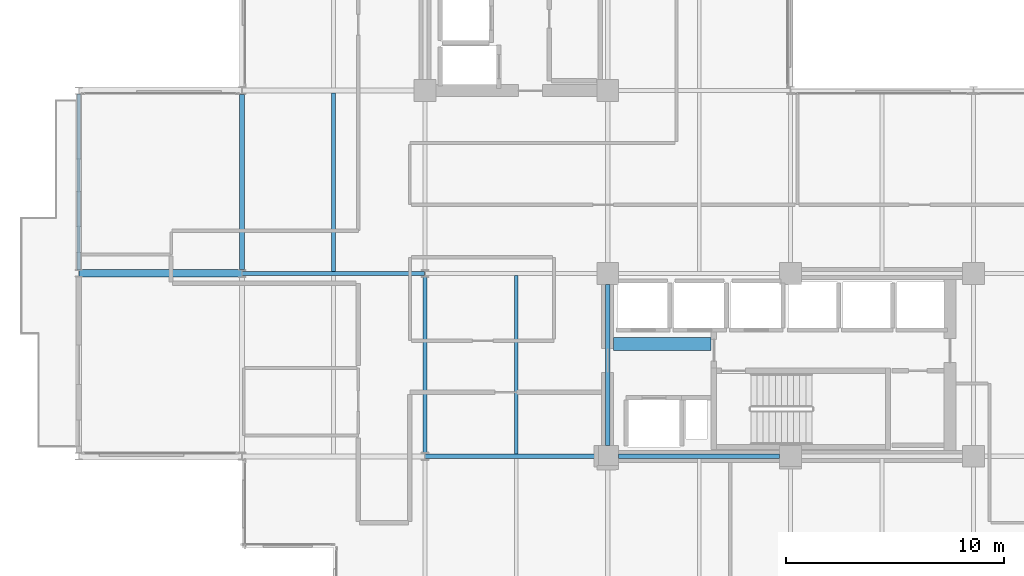
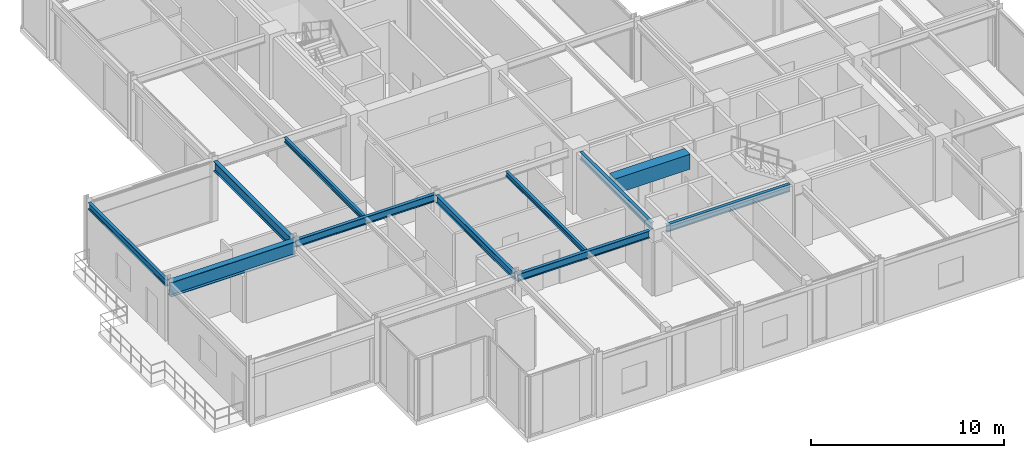
# One storey, part 8 of 29: 11 beams.
"""IFC4 building model written with IfcOpenShell, lengths in metres."""

from ifc_helpers import new_model, si_unit, direction, frame, origin, origin_2d, place, context, subcontext, project, spatial, rectangle, i_section, extrude, material, material_profile, profile_set, type_object, element, save


model = new_model("IFC4")

# Units and contexts
model_context = context("Model", 3, precision=1e-05, world=origin(), true_north=direction((0.0, 1.0)))
body_context = subcontext(model_context, "Body", "Model", "MODEL_VIEW")
ifc_project = project(units=[si_unit("LENGTHUNIT", "METRE"), si_unit("AREAUNIT", "SQUARE_METRE"), si_unit("VOLUMEUNIT", "CUBIC_METRE"), si_unit("PLANEANGLEUNIT", "RADIAN"), si_unit("MASSUNIT", "GRAM", prefix="KILO")], contexts=[model_context])

# Site, building, storey
site_placement = place(None, origin())
site = spatial("IfcSite", under=ifc_project, at=site_placement, CompositionType="ELEMENT")
building_placement = place(site_placement, origin())
building = spatial("IfcBuilding", under=site, at=building_placement, Name="Nerrivon Quay Data Exchange", CompositionType="ELEMENT")
storey_placement = place(building_placement, frame((0.0, 0.0, 200.10009765625)))
storey = spatial("IfcBuildingStorey", under=building, at=storey_placement, Name="L47", CompositionType="ELEMENT", Elevation=200.10009765625)

# Beams
ifc_material_1 = material(Name="Steel Grade 350", Category="steel")
ifc_material_profile_1 = material_profile(ifc_material_1, i_section(OverallWidth=0.35009765625, OverallDepth=0.909912109375, WebThickness=0.011962890625, FlangeThickness=0.02490234375, at=origin_2d()), Name="900WB218")
ifc_profile_set_1 = profile_set([ifc_material_profile_1], Name="Steel Grade 350")
beam_type_1 = type_object("IfcBeamType", Name="BM-CANT-900WB", PredefinedType="USERDEFINED", material=ifc_profile_set_1)
beam_1_placement = place(storey_placement, frame((-0.010009765625, 16.800048828125, 3.369873046875), z_axis=(-1.0, 0.0, 0.0), x_axis=(0.0, -1.0, 0.0)))
element("IfcBeam", 1, at=beam_1_placement, inside=storey, type_object=beam_type_1, Name="L47 West Hooked Cantilever Girder Y=16.8", ObjectType="TRANSFER", PredefinedType="USERDEFINED", context=body_context, shape_type="SweptSolid", body=[
    extrude(i_section(OverallWidth=0.35009765625, OverallDepth=0.909912109375, WebThickness=0.011962890625, FlangeThickness=0.02490234375, at=origin_2d()), origin(), (0.0, 0.0, 1.0), 7.482177734375),
])
ifc_material_2 = material(Name="Concrete N50 (50 MPa)", Category="concrete")
ifc_material_profile_2 = material_profile(ifc_material_2, rectangle(XDim=0.60009765625, YDim=0.949951171875, at=origin_2d()), Name="RC-CB-600x950")
ifc_profile_set_2 = profile_set([ifc_material_profile_2], Name="Concrete N50 (50 MPa)")
beam_type_2 = type_object("IfcBeamType", Name="BM-CB2-600x950", PredefinedType="LINTEL", material=ifc_profile_set_2)
beam_2_placement = place(storey_placement, frame((17.074951171875, 13.550048828125, 3.349853515625), z_axis=(1.0, 0.0, 0.0), x_axis=(0.0, 1.0, 0.0)))
element("IfcBeam", 2, at=beam_2_placement, inside=storey, type_object=beam_type_2, Name="L47 East Core Coupling Beam", PredefinedType="LINTEL", context=body_context, shape_type="SweptSolid", body=[
    extrude(rectangle(XDim=0.60009765625, YDim=0.949951171875, at=origin_2d()), origin(), (0.0, 0.0, 1.0), 4.47998046875),
])
ifc_material_profile_3 = material_profile(ifc_material_1, i_section(OverallWidth=0.22802734375, OverallDepth=0.60205078125, WebThickness=0.010498046875, FlangeThickness=0.014892578125, FilletRadius=0.013916015625, at=origin_2d()), Name="610UB101")
ifc_profile_set_3 = profile_set([ifc_material_profile_3], Name="Steel Grade 350")
beam_type_3 = type_object("IfcBeamType", Name="BM-G2-610UB101", PredefinedType="BEAM", material=ifc_profile_set_3)
beam_3_placement = place(storey_placement, frame((0.0, 16.97509765625, 3.52392578125), z_axis=(0.0, 1.0, 0.0), x_axis=(-1.0, 0.0, 0.0)))
element("IfcBeam", 3, at=beam_3_placement, inside=storey, type_object=beam_type_3, Name="L47 NS Girder X=0.0 (16.8..25.2)", PredefinedType="BEAM", context=body_context, shape_type="SweptSolid", body=[
    extrude(i_section(OverallWidth=0.22802734375, OverallDepth=0.60205078125, WebThickness=0.010498046875, FlangeThickness=0.014892578125, FilletRadius=0.013916015625, at=origin_2d()), origin(), (0.0, 0.0, 1.0), 8.0498046875),
])
ifc_material_profile_4 = material_profile(ifc_material_1, i_section(OverallWidth=0.19091796875, OverallDepth=0.4599609375, WebThickness=0.010009765625, FlangeThickness=0.01611328125, FilletRadius=0.011474609375, at=origin_2d()), Name="460UB82.1")
ifc_profile_set_4 = profile_set([ifc_material_profile_4], Name="Steel Grade 350")
beam_type_4 = type_object("IfcBeamType", Name="BM-G5-460UB82", PredefinedType="BEAM", material=ifc_profile_set_4)
beam_4_placement = place(storey_placement, frame((8.409912109375, 8.39990234375, 3.594970703125), z_axis=(1.0, 0.0, 0.0), x_axis=(0.0, 1.0, 0.0)))
element("IfcBeam", 4, at=beam_4_placement, inside=storey, type_object=beam_type_4, Name="L47 EW Girder Y=8.4 (8.4..16.8)", PredefinedType="BEAM", context=body_context, shape_type="SweptSolid", body=[
    extrude(i_section(OverallWidth=0.19091796875, OverallDepth=0.4599609375, WebThickness=0.010009765625, FlangeThickness=0.01611328125, FilletRadius=0.011474609375, at=origin_2d()), origin(), (0.0, 0.0, 1.0), 7.89013671875),
])
beam_5_placement = place(storey_placement, frame((17.300048828125, 8.39990234375, 3.594970703125), z_axis=(1.0, 0.0, 0.0), x_axis=(0.0, 1.0, 0.0)))
element("IfcBeam", 5, at=beam_5_placement, inside=storey, type_object=beam_type_4, Name="L47 EW Girder Y=8.4 (16.8..25.2)", PredefinedType="BEAM", context=body_context, shape_type="SweptSolid", body=[
    extrude(i_section(OverallWidth=0.19091796875, OverallDepth=0.4599609375, WebThickness=0.010009765625, FlangeThickness=0.01611328125, FilletRadius=0.011474609375, at=origin_2d()), origin(), (0.0, 0.0, 1.0), 7.39990234375),
])
beam_6_placement = place(storey_placement, frame((0.010009765625, 16.800048828125, 3.594970703125), z_axis=(1.0, 0.0, 0.0), x_axis=(0.0, 1.0, 0.0)))
element("IfcBeam", 6, at=beam_6_placement, inside=storey, type_object=beam_type_4, Name="L47 EW Girder Y=16.8 (0.0..8.4)", PredefinedType="BEAM", context=body_context, shape_type="SweptSolid", body=[
    extrude(i_section(OverallWidth=0.19091796875, OverallDepth=0.4599609375, WebThickness=0.010009765625, FlangeThickness=0.01611328125, FilletRadius=0.011474609375, at=origin_2d()), origin(), (0.0, 0.0, 1.0), 8.3798828125),
])
ifc_material_profile_5 = material_profile(ifc_material_1, i_section(OverallWidth=0.18994140625, OverallDepth=0.4541015625, WebThickness=0.008544921875, FlangeThickness=0.0126953125, FilletRadius=0.011474609375, at=origin_2d()), Name="460UB67.1")
ifc_profile_set_5 = profile_set([ifc_material_profile_5], Name="Steel Grade 350")
beam_type_5 = type_object("IfcBeamType", Name="BM-G6-460UB67", PredefinedType="BEAM", material=ifc_profile_set_5)
beam_7_placement = place(storey_placement, frame((8.39990234375, 8.574951171875, 3.597900390625), z_axis=(0.0, 1.0, 0.0), x_axis=(-1.0, 0.0, 0.0)))
element("IfcBeam", 7, at=beam_7_placement, inside=storey, type_object=beam_type_5, Name="L47 NS Girder X=8.4 (8.4..16.8)", PredefinedType="BEAM", context=body_context, shape_type="SweptSolid", body=[
    extrude(i_section(OverallWidth=0.18994140625, OverallDepth=0.4541015625, WebThickness=0.008544921875, FlangeThickness=0.0126953125, FilletRadius=0.011474609375, at=origin_2d()), origin(), (0.0, 0.0, 1.0), 8.050048828125),
])
beam_8_placement = place(storey_placement, frame((16.800048828125, 8.89990234375, 3.597900390625), z_axis=(0.0, 1.0, 0.0), x_axis=(-1.0, 0.0, 0.0)))
element("IfcBeam", 8, at=beam_8_placement, inside=storey, type_object=beam_type_5, Name="L47 NS Girder X=16.8 (8.4..16.8)", PredefinedType="BEAM", context=body_context, shape_type="SweptSolid", body=[
    extrude(i_section(OverallWidth=0.18994140625, OverallDepth=0.4541015625, WebThickness=0.008544921875, FlangeThickness=0.0126953125, FilletRadius=0.011474609375, at=origin_2d()), origin(), (0.0, 0.0, 1.0), 7.400146484375),
])
ifc_material_profile_6 = material_profile(ifc_material_1, i_section(OverallWidth=0.166015625, OverallDepth=0.306884765625, WebThickness=0.006591796875, FlangeThickness=0.01171875, FilletRadius=0.011474609375, at=origin_2d()), Name="310UB46.2")
ifc_profile_set_6 = profile_set([ifc_material_profile_6], Name="Steel Grade 350")
beam_type_6 = type_object("IfcBeamType", Name="BM-J5-310UB46", PredefinedType="JOIST", material=ifc_profile_set_6)
beam_9_placement = place(storey_placement, frame((4.199951171875, 16.8955078125, 3.67138671875), z_axis=(0.0, 1.0, 0.0), x_axis=(-1.0, 0.0, 0.0)))
element("IfcBeam", 9, at=beam_9_placement, inside=storey, type_object=beam_type_6, Name="L47 Secondary Joist X=4.2 (16.8..25.2)", PredefinedType="JOIST", context=body_context, shape_type="SweptSolid", body=[
    extrude(i_section(OverallWidth=0.166015625, OverallDepth=0.306884765625, WebThickness=0.006591796875, FlangeThickness=0.01171875, FilletRadius=0.011474609375, at=origin_2d()), origin(), (0.0, 0.0, 1.0), 8.18994140625),
])
beam_10_placement = place(storey_placement, frame((12.60009765625, 8.49560546875, 3.67138671875), z_axis=(0.0, 1.0, 0.0), x_axis=(-1.0, 0.0, 0.0)))
element("IfcBeam", 10, at=beam_10_placement, inside=storey, type_object=beam_type_6, Name="L47 Secondary Joist X=12.6 (8.4..16.8)", PredefinedType="JOIST", context=body_context, shape_type="SweptSolid", body=[
    extrude(i_section(OverallWidth=0.166015625, OverallDepth=0.306884765625, WebThickness=0.006591796875, FlangeThickness=0.01171875, FilletRadius=0.011474609375, at=origin_2d()), origin(), (0.0, 0.0, 1.0), 8.208984375),
])
ifc_material_profile_7 = material_profile(ifc_material_1, i_section(OverallWidth=0.177978515625, OverallDepth=0.403076171875, WebThickness=0.007568359375, FlangeThickness=0.010986328125, FilletRadius=0.011474609375, at=origin_2d()), Name="410UB53.7")
ifc_profile_set_7 = profile_set([ifc_material_profile_7], Name="Steel Grade 350")
beam_type_7 = type_object("IfcBeamType", Name="BM-SP2-410UB54", PredefinedType="SPANDREL", material=ifc_profile_set_7)
beam_11_placement = place(storey_placement, frame((-7.5, 16.96337890625, 3.623291015625), z_axis=(0.0, 1.0, 0.0), x_axis=(-1.0, 0.0, 0.0)))
element("IfcBeam", 11, at=beam_11_placement, inside=storey, type_object=beam_type_7, Name="L47 West Hooked Edge Spandrel", PredefinedType="SPANDREL", context=body_context, shape_type="SweptSolid", body=[
    extrude(i_section(OverallWidth=0.177978515625, OverallDepth=0.403076171875, WebThickness=0.007568359375, FlangeThickness=0.010986328125, FilletRadius=0.011474609375, at=origin_2d()), origin(), (0.0, 0.0, 1.0), 8.0732421875),
])

save(model, "model.ifc")
